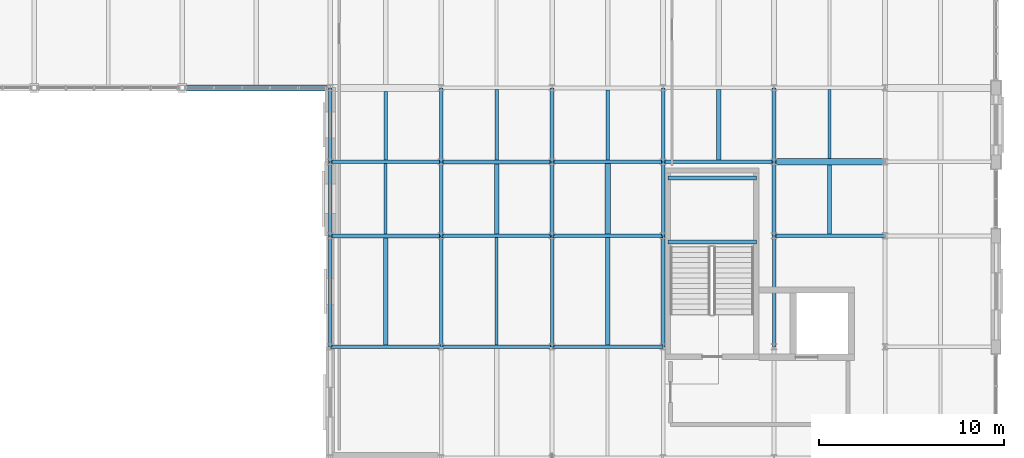
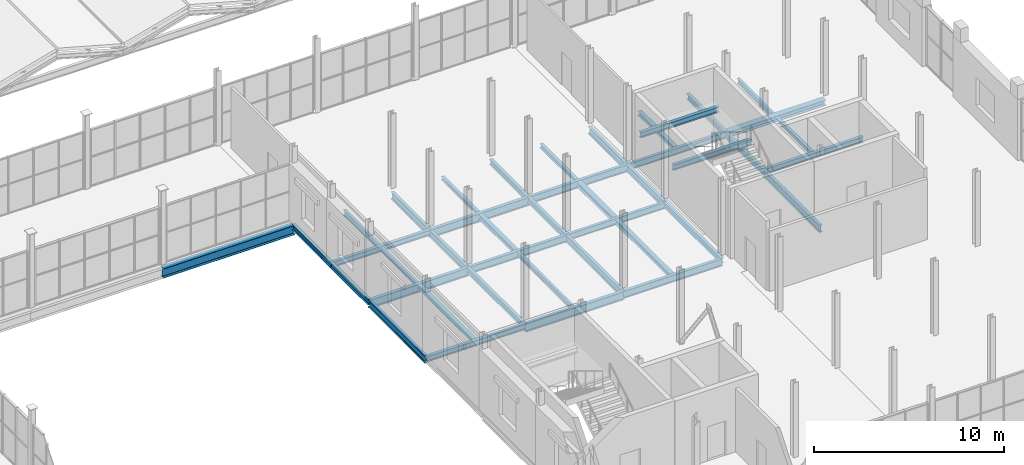
# One storey, part 70 of 114: 42 beams.
"""IFC4 building model written with IfcOpenShell, lengths in metres."""

from ifc_helpers import new_model, si_unit, direction, frame, origin, origin_2d, place, context, subcontext, project, spatial, i_section, extrude, material, material_profile, profile_set, type_object, element, save


model = new_model("IFC4")

# Units and contexts
model_context = context("Model", 3, precision=1e-05, world=origin(), true_north=direction((0.0, 1.0)))
body_context = subcontext(model_context, "Body", "Model", "MODEL_VIEW")
ifc_project = project(units=[si_unit("LENGTHUNIT", "METRE"), si_unit("AREAUNIT", "SQUARE_METRE"), si_unit("VOLUMEUNIT", "CUBIC_METRE"), si_unit("PLANEANGLEUNIT", "RADIAN"), si_unit("MASSUNIT", "GRAM", prefix="KILO")], contexts=[model_context])

# Site, building, storey
site_placement = place(None, origin())
site = spatial("IfcSite", under=ifc_project, at=site_placement, CompositionType="ELEMENT")
building_placement = place(site_placement, origin())
building = spatial("IfcBuilding", under=site, at=building_placement, Name="Verrall Gate Interchange", CompositionType="ELEMENT")
storey_placement = place(building_placement, frame((0.0, 0.0, 6.60009765625)))
storey = spatial("IfcBuildingStorey", under=building, at=storey_placement, Name="L02", CompositionType="ELEMENT", Elevation=6.60009765625)

# Beams
ifc_material_1 = material(Name="Structural Steel CSA G40.21 350WT Cat 4", Category="steel")
ifc_material_profile_1 = material_profile(ifc_material_1, i_section(OverallWidth=0.323974609375, OverallDepth=0.611083984375, WebThickness=0.0126953125, FlangeThickness=0.01904296875, FilletRadius=0.014892578125, at=origin_2d()), Name="W610x155")
ifc_profile_set_1 = profile_set([ifc_material_profile_1], Name="Structural Steel CSA G40.21 350WT Cat 4")
beam_type_1 = type_object("IfcBeamType", Name="B-08 Structural Beam W610x155", PredefinedType="BEAM", material=ifc_profile_set_1)
beam_1_placement = place(storey_placement, frame((124.0, 48.0, -0.585693359375), z_axis=(1.0, 0.0, 0.0), x_axis=(0.0, 1.0, 0.0)))
element("IfcBeam", 1, at=beam_1_placement, inside=storey, type_object=beam_type_1, Name="L02 Girder BM-L02-1581 (B-08)", PredefinedType="BEAM", context=body_context, shape_type="SweptSolid", body=[
    extrude(i_section(OverallWidth=0.323974609375, OverallDepth=0.611083984375, WebThickness=0.0126953125, FlangeThickness=0.01904296875, FilletRadius=0.014892578125, at=origin_2d()), origin(), (0.0, 0.0, 1.0), 8.0),
])
ifc_material_2 = material(Name="Structural Steel CSA G40.21 350W", Category="steel")
ifc_material_profile_2 = material_profile(ifc_material_2, i_section(OverallWidth=0.2109375, OverallDepth=0.5390625, WebThickness=0.01171875, FlangeThickness=0.018798828125, FilletRadius=0.013916015625, at=origin_2d()), Name="W530x109")
ifc_profile_set_2 = profile_set([ifc_material_profile_2], Name="Structural Steel CSA G40.21 350W")
beam_type_2 = type_object("IfcBeamType", Name="B-10 Structural Beam W530x109", PredefinedType="BEAM", material=ifc_profile_set_2)
for number, where, z_axis, x_axis, name in (
    (2, (138.0, 34.0, -0.549560546875), (1.0, 0.0, 0.0), (0.0, 1.0, 0.0), "L02 Girder BM-L02-1531 (B-10)"),
    (3, (132.0, 40.0, -0.549560546875), (1.0, 0.0, 0.0), (0.0, 1.0, 0.0), "L02 Girder BM-L02-1540 (B-10)"),
    (4, (138.0, 44.0, -0.549560546875), (1.0, 0.0, 0.0), (0.0, 1.0, 0.0), "L02 Girder BM-L02-1558 (B-10)"),
):
    element("IfcBeam", number, at=place(storey_placement, frame(where, z_axis=z_axis, x_axis=x_axis)), inside=storey, type_object=beam_type_2, Name=name, PredefinedType="BEAM", context=body_context, shape_type="SweptSolid", body=[
        extrude(i_section(OverallWidth=0.2109375, OverallDepth=0.5390625, WebThickness=0.01171875, FlangeThickness=0.018798828125, FilletRadius=0.013916015625, at=origin_2d()), origin(), (0.0, 0.0, 1.0), 6.0),
    ])
ifc_material_3 = material(Name="Structural Steel CSA G40.21 350W", Category="steel")
ifc_material_profile_3 = material_profile(ifc_material_3, i_section(OverallWidth=0.19189453125, OverallDepth=0.462890625, WebThickness=0.010498046875, FlangeThickness=0.017578125, FilletRadius=0.012939453125, at=origin_2d()), Name="W460x89")
ifc_profile_set_3 = profile_set([ifc_material_profile_3], Name="Structural Steel CSA G40.21 350W")
beam_type_3 = type_object("IfcBeamType", Name="B-11 Structural Beam W460x89", PredefinedType="BEAM", material=ifc_profile_set_3)
for number, where, z_axis, x_axis, name in (
    (5, (144.0, 34.0, -0.51171875), (1.0, 0.0, 0.0), (0.0, 1.0, 0.0), "L02 Girder BM-L02-1532 (B-11)"),
    (6, (138.0, 40.0, -0.51171875), (1.0, 0.0, 0.0), (0.0, 1.0, 0.0), "L02 Girder BM-L02-1541 (B-11)"),
    (7, (144.0, 44.0, -0.51171875), (1.0, 0.0, 0.0), (0.0, 1.0, 0.0), "L02 Girder BM-L02-1559 (B-11)"),
    (8, (132.0, 34.0, -0.51171875), (0.0, 1.0, 0.0), (-1.0, 0.0, 0.0), "L02 Girder BM-L02-1787 (B-11)"),
):
    element("IfcBeam", number, at=place(storey_placement, frame(where, z_axis=z_axis, x_axis=x_axis)), inside=storey, type_object=beam_type_3, Name=name, PredefinedType="BEAM", context=body_context, shape_type="SweptSolid", body=[
        extrude(i_section(OverallWidth=0.19189453125, OverallDepth=0.462890625, WebThickness=0.010498046875, FlangeThickness=0.017578125, FilletRadius=0.012939453125, at=origin_2d()), origin(), (0.0, 0.0, 1.0), 6.0),
    ])
for number, where, z_axis, x_axis, name in (
    (9, (138.0, 40.0, -0.51171875), (0.0, 1.0, 0.0), (-1.0, 0.0, 0.0), "L02 Girder BM-L02-1796 (B-11)"),
    (10, (138.0, 44.0, -0.51171875), (0.0, 1.0, 0.0), (-1.0, 0.0, 0.0), "L02 Girder BM-L02-1797 (B-11)"),
):
    element("IfcBeam", number, at=place(storey_placement, frame(where, z_axis=z_axis, x_axis=x_axis)), inside=storey, type_object=beam_type_3, Name=name, PredefinedType="BEAM", context=body_context, shape_type="SweptSolid", body=[
        extrude(i_section(OverallWidth=0.19189453125, OverallDepth=0.462890625, WebThickness=0.010498046875, FlangeThickness=0.017578125, FilletRadius=0.012939453125, at=origin_2d()), origin(), (0.0, 0.0, 1.0), 4.0),
    ])
beam_2_placement = place(storey_placement, frame((144.0, 34.0, -0.51171875), z_axis=(0.0, 1.0, 0.0), x_axis=(-1.0, 0.0, 0.0)))
element("IfcBeam", 11, at=beam_2_placement, inside=storey, type_object=beam_type_3, Name="L02 Girder BM-L02-1803 (B-11)", PredefinedType="BEAM", context=body_context, shape_type="SweptSolid", body=[
    extrude(i_section(OverallWidth=0.19189453125, OverallDepth=0.462890625, WebThickness=0.010498046875, FlangeThickness=0.017578125, FilletRadius=0.012939453125, at=origin_2d()), origin(), (0.0, 0.0, 1.0), 6.0),
])
for number, where, z_axis, x_axis, name in (
    (12, (150.0, 40.0, -0.51171875), (0.0, 1.0, 0.0), (-1.0, 0.0, 0.0), "L02 Girder BM-L02-1812 (B-11)"),
    (13, (150.0, 44.0, -0.51171875), (0.0, 1.0, 0.0), (-1.0, 0.0, 0.0), "L02 Girder BM-L02-1813 (B-11)"),
):
    element("IfcBeam", number, at=place(storey_placement, frame(where, z_axis=z_axis, x_axis=x_axis)), inside=storey, type_object=beam_type_3, Name=name, PredefinedType="BEAM", context=body_context, shape_type="SweptSolid", body=[
        extrude(i_section(OverallWidth=0.19189453125, OverallDepth=0.462890625, WebThickness=0.010498046875, FlangeThickness=0.017578125, FilletRadius=0.012939453125, at=origin_2d()), origin(), (0.0, 0.0, 1.0), 4.0),
    ])
beam_3_placement = place(storey_placement, frame((156.0, 34.0, -0.51171875), z_axis=(0.0, 1.0, 0.0), x_axis=(-1.0, 0.0, 0.0)))
element("IfcBeam", 14, at=beam_3_placement, inside=storey, type_object=beam_type_3, Name="L02 Girder BM-L02-1819 (B-11)", PredefinedType="BEAM", context=body_context, shape_type="SweptSolid", body=[
    extrude(i_section(OverallWidth=0.19189453125, OverallDepth=0.462890625, WebThickness=0.010498046875, FlangeThickness=0.017578125, FilletRadius=0.012939453125, at=origin_2d()), origin(), (0.0, 0.0, 1.0), 6.0),
])
ifc_material_4 = material(Name="Structural Steel CSA G40.21 350W", Category="steel")
ifc_material_profile_4 = material_profile(ifc_material_4, i_section(OverallWidth=0.178955078125, OverallDepth=0.409912109375, WebThickness=0.0087890625, FlangeThickness=0.014404296875, FilletRadius=0.011962890625, at=origin_2d()), Name="W410x67")
ifc_profile_set_4 = profile_set([ifc_material_profile_4], Name="Structural Steel CSA G40.21 350W")
beam_type_4 = type_object("IfcBeamType", Name="B-12 Structural Beam W410x67", PredefinedType="BEAM", material=ifc_profile_set_4)
for number, where, z_axis, x_axis, name in (
    (15, (144.0, 40.0, -0.485107421875), (1.0, 0.0, 0.0), (0.0, 1.0, 0.0), "L02 Girder BM-L02-1542 (B-12)"),
    (16, (150.0, 44.0, -0.485107421875), (1.0, 0.0, 0.0), (0.0, 1.0, 0.0), "L02 Girder BM-L02-1560 (B-12)"),
):
    element("IfcBeam", number, at=place(storey_placement, frame(where, z_axis=z_axis, x_axis=x_axis)), inside=storey, type_object=beam_type_4, Name=name, PredefinedType="BEAM", context=body_context, shape_type="SweptSolid", body=[
        extrude(i_section(OverallWidth=0.178955078125, OverallDepth=0.409912109375, WebThickness=0.0087890625, FlangeThickness=0.014404296875, FilletRadius=0.011962890625, at=origin_2d()), origin(), (0.0, 0.0, 1.0), 6.0),
    ])
ifc_material_5 = material(Name="Structural Steel CSA G40.21 350W", Category="steel")
ifc_material_profile_5 = material_profile(ifc_material_5, i_section(OverallWidth=0.368896484375, OverallDepth=0.35595703125, WebThickness=0.01123046875, FlangeThickness=0.01806640625, FilletRadius=0.014892578125, at=origin_2d()), Name="W360x134")
ifc_profile_set_5 = profile_set([ifc_material_profile_5], Name="Structural Steel CSA G40.21 350W")
beam_type_5 = type_object("IfcBeamType", Name="B-13 Structural Beam W360x134", PredefinedType="BEAM", material=ifc_profile_set_5)
beam_4_placement = place(storey_placement, frame((156.0, 44.0, -0.4580078125), z_axis=(1.0, 0.0, 0.0), x_axis=(0.0, 1.0, 0.0)))
element("IfcBeam", 17, at=beam_4_placement, inside=storey, type_object=beam_type_5, Name="L02 Girder BM-L02-1561 (B-13)", PredefinedType="BEAM", context=body_context, shape_type="SweptSolid", body=[
    extrude(i_section(OverallWidth=0.368896484375, OverallDepth=0.35595703125, WebThickness=0.01123046875, FlangeThickness=0.01806640625, FilletRadius=0.014892578125, at=origin_2d()), origin(), (0.0, 0.0, 1.0), 6.0),
])
ifc_material_6 = material(Name="Structural Steel CSA G40.21 350W", Category="steel")
ifc_material_profile_6 = material_profile(ifc_material_6, i_section(OverallWidth=0.205078125, OverallDepth=0.35400390625, WebThickness=0.009521484375, FlangeThickness=0.016845703125, FilletRadius=0.012939453125, at=origin_2d()), Name="W360x79")
ifc_profile_set_6 = profile_set([ifc_material_profile_6], Name="Structural Steel CSA G40.21 350W")
beam_type_6 = type_object("IfcBeamType", Name="B-14 Structural Beam W360x79", PredefinedType="BEAM", material=ifc_profile_set_6)
for number, where, z_axis, x_axis, name in (
    (18, (132.0, 34.0, -0.45703125), (1.0, 0.0, 0.0), (0.0, 1.0, 0.0), "L02 Girder BM-L02-1530 (B-14)"),
    (19, (156.0, 40.0, -0.45703125), (1.0, 0.0, 0.0), (0.0, 1.0, 0.0), "L02 Girder BM-L02-1543 (B-14)"),
    (20, (132.0, 44.0, -0.45703125), (1.0, 0.0, 0.0), (0.0, 1.0, 0.0), "L02 Girder BM-L02-1557 (B-14)"),
):
    element("IfcBeam", number, at=place(storey_placement, frame(where, z_axis=z_axis, x_axis=x_axis)), inside=storey, type_object=beam_type_6, Name=name, PredefinedType="BEAM", context=body_context, shape_type="SweptSolid", body=[
        extrude(i_section(OverallWidth=0.205078125, OverallDepth=0.35400390625, WebThickness=0.009521484375, FlangeThickness=0.016845703125, FilletRadius=0.012939453125, at=origin_2d()), origin(), (0.0, 0.0, 1.0), 6.0),
    ])
for number, where, z_axis, x_axis, name in (
    (21, (132.0, 40.0, -0.45703125), (0.0, 1.0, 0.0), (-1.0, 0.0, 0.0), "L02 Girder BM-L02-1788 (B-14)"),
    (22, (132.0, 44.0, -0.45703125), (0.0, 1.0, 0.0), (-1.0, 0.0, 0.0), "L02 Girder BM-L02-1789 (B-14)"),
):
    element("IfcBeam", number, at=place(storey_placement, frame(where, z_axis=z_axis, x_axis=x_axis)), inside=storey, type_object=beam_type_6, Name=name, PredefinedType="BEAM", context=body_context, shape_type="SweptSolid", body=[
        extrude(i_section(OverallWidth=0.205078125, OverallDepth=0.35400390625, WebThickness=0.009521484375, FlangeThickness=0.016845703125, FilletRadius=0.012939453125, at=origin_2d()), origin(), (0.0, 0.0, 1.0), 4.0),
    ])
beam_5_placement = place(storey_placement, frame((138.0, 34.0, -0.45703125), z_axis=(0.0, 1.0, 0.0), x_axis=(-1.0, 0.0, 0.0)))
element("IfcBeam", 23, at=beam_5_placement, inside=storey, type_object=beam_type_6, Name="L02 Girder BM-L02-1795 (B-14)", PredefinedType="BEAM", context=body_context, shape_type="SweptSolid", body=[
    extrude(i_section(OverallWidth=0.205078125, OverallDepth=0.35400390625, WebThickness=0.009521484375, FlangeThickness=0.016845703125, FilletRadius=0.012939453125, at=origin_2d()), origin(), (0.0, 0.0, 1.0), 6.0),
])
for number, where, z_axis, x_axis, name in (
    (24, (144.0, 40.0, -0.45703125), (0.0, 1.0, 0.0), (-1.0, 0.0, 0.0), "L02 Girder BM-L02-1804 (B-14)"),
    (25, (144.0, 44.0, -0.45703125), (0.0, 1.0, 0.0), (-1.0, 0.0, 0.0), "L02 Girder BM-L02-1805 (B-14)"),
):
    element("IfcBeam", number, at=place(storey_placement, frame(where, z_axis=z_axis, x_axis=x_axis)), inside=storey, type_object=beam_type_6, Name=name, PredefinedType="BEAM", context=body_context, shape_type="SweptSolid", body=[
        extrude(i_section(OverallWidth=0.205078125, OverallDepth=0.35400390625, WebThickness=0.009521484375, FlangeThickness=0.016845703125, FilletRadius=0.012939453125, at=origin_2d()), origin(), (0.0, 0.0, 1.0), 4.0),
    ])
beam_6_placement = place(storey_placement, frame((150.0, 34.0, -0.45703125), z_axis=(0.0, 1.0, 0.0), x_axis=(-1.0, 0.0, 0.0)))
element("IfcBeam", 26, at=beam_6_placement, inside=storey, type_object=beam_type_6, Name="L02 Girder BM-L02-1811 (B-14)", PredefinedType="BEAM", context=body_context, shape_type="SweptSolid", body=[
    extrude(i_section(OverallWidth=0.205078125, OverallDepth=0.35400390625, WebThickness=0.009521484375, FlangeThickness=0.016845703125, FilletRadius=0.012939453125, at=origin_2d()), origin(), (0.0, 0.0, 1.0), 6.0),
])
for number, where, z_axis, x_axis, name in (
    (27, (156.0, 40.0, -0.45703125), (0.0, 1.0, 0.0), (-1.0, 0.0, 0.0), "L02 Girder BM-L02-1820 (B-14)"),
    (28, (156.0, 44.0, -0.45703125), (0.0, 1.0, 0.0), (-1.0, 0.0, 0.0), "L02 Girder BM-L02-1821 (B-14)"),
):
    element("IfcBeam", number, at=place(storey_placement, frame(where, z_axis=z_axis, x_axis=x_axis)), inside=storey, type_object=beam_type_6, Name=name, PredefinedType="BEAM", context=body_context, shape_type="SweptSolid", body=[
        extrude(i_section(OverallWidth=0.205078125, OverallDepth=0.35400390625, WebThickness=0.009521484375, FlangeThickness=0.016845703125, FilletRadius=0.012939453125, at=origin_2d()), origin(), (0.0, 0.0, 1.0), 4.0),
    ])
for number, where, z_axis, x_axis, name in (
    (29, (150.260009765625, 39.669921875, 2.02978515625), (1.0, 0.0, 0.0), (0.0, 1.0, 0.0), "L02 Core C9 Mid-Landing Beam 1"),
    (30, (150.260009765625, 43.1201171875, 2.02978515625), (1.0, 0.0, 0.0), (0.0, 1.0, 0.0), "L02 Core C9 Mid-Landing Beam 2"),
):
    element("IfcBeam", number, at=place(storey_placement, frame(where, z_axis=z_axis, x_axis=x_axis)), inside=storey, type_object=beam_type_6, Name=name, PredefinedType="BEAM", context=body_context, shape_type="SweptSolid", body=[
        extrude(i_section(OverallWidth=0.205078125, OverallDepth=0.35400390625, WebThickness=0.009521484375, FlangeThickness=0.016845703125, FilletRadius=0.012939453125, at=origin_2d()), origin(), (0.0, 0.0, 1.0), 4.780029296875),
    ])
ifc_material_7 = material(Name="Structural Steel CSA G40.21 350W", Category="steel")
ifc_material_profile_7 = material_profile(ifc_material_7, i_section(OverallWidth=0.172119140625, OverallDepth=0.35791015625, WebThickness=0.0078125, FlangeThickness=0.01318359375, FilletRadius=0.010986328125, at=origin_2d()), Name="W360x57")
ifc_profile_set_7 = profile_set([ifc_material_profile_7], Name="Structural Steel CSA G40.21 350W")
beam_type_7 = type_object("IfcBeamType", Name="J-01 Floor Joist W360x57", PredefinedType="JOIST", material=ifc_profile_set_7)
beam_7_placement = place(storey_placement, frame((135.0, 44.1025390625, -0.458984375), z_axis=(0.0, 1.0, 0.0), x_axis=(-1.0, 0.0, 0.0)))
element("IfcBeam", 31, at=beam_7_placement, inside=storey, type_object=beam_type_7, Name="L02 Secondary Floor Joist JST-L02-1934", PredefinedType="JOIST", context=body_context, shape_type="SweptSolid", body=[
    extrude(i_section(OverallWidth=0.172119140625, OverallDepth=0.35791015625, WebThickness=0.0078125, FlangeThickness=0.01318359375, FilletRadius=0.010986328125, at=origin_2d()), origin(), (0.0, 0.0, 1.0), 3.712890625),
])
ifc_material_8 = material(Name="Structural Steel CSA G40.21 350W", Category="steel")
ifc_material_profile_8 = material_profile(ifc_material_8, i_section(OverallWidth=0.306884765625, OverallDepth=0.31396484375, WebThickness=0.011962890625, FlangeThickness=0.018798828125, FilletRadius=0.013916015625, at=origin_2d()), Name="W310x118")
ifc_profile_set_8 = profile_set([ifc_material_profile_8], Name="Structural Steel CSA G40.21 350W")
beam_type_8 = type_object("IfcBeamType", Name="J-02 Floor Joist W310x118", PredefinedType="JOIST", material=ifc_profile_set_8)
beam_8_placement = place(storey_placement, frame((147.0, 40.089599609375, -0.43701171875), z_axis=(0.0, 1.0, 0.0), x_axis=(-1.0, 0.0, 0.0)))
element("IfcBeam", 32, at=beam_8_placement, inside=storey, type_object=beam_type_8, Name="L02 Secondary Floor Joist JST-L02-1920", PredefinedType="JOIST", context=body_context, shape_type="SweptSolid", body=[
    extrude(i_section(OverallWidth=0.306884765625, OverallDepth=0.31396484375, WebThickness=0.011962890625, FlangeThickness=0.018798828125, FilletRadius=0.013916015625, at=origin_2d()), origin(), (0.0, 0.0, 1.0), 3.814453125),
])
ifc_material_9 = material(Name="Structural Steel CSA G40.21 350W", Category="steel")
ifc_material_profile_9 = material_profile(ifc_material_9, i_section(OverallWidth=0.25390625, OverallDepth=0.305908203125, WebThickness=0.0087890625, FlangeThickness=0.0146484375, FilletRadius=0.012939453125, at=origin_2d()), Name="W310x79")
ifc_profile_set_9 = profile_set([ifc_material_profile_9], Name="Structural Steel CSA G40.21 350W")
beam_type_9 = type_object("IfcBeamType", Name="J-03 Floor Joist W310x79", PredefinedType="JOIST", material=ifc_profile_set_9)
beam_9_placement = place(storey_placement, frame((147.0, 34.095947265625, -0.43310546875), z_axis=(0.0, 1.0, 0.0), x_axis=(-1.0, 0.0, 0.0)))
element("IfcBeam", 33, at=beam_9_placement, inside=storey, type_object=beam_type_9, Name="L02 Secondary Floor Joist JST-L02-1912", PredefinedType="JOIST", context=body_context, shape_type="SweptSolid", body=[
    extrude(i_section(OverallWidth=0.25390625, OverallDepth=0.305908203125, WebThickness=0.0087890625, FlangeThickness=0.0146484375, FilletRadius=0.012939453125, at=origin_2d()), origin(), (0.0, 0.0, 1.0), 5.814453125),
])
beam_10_placement = place(storey_placement, frame((141.0, 40.095947265625, -0.43310546875), z_axis=(0.0, 1.0, 0.0), x_axis=(-1.0, 0.0, 0.0)))
element("IfcBeam", 34, at=beam_10_placement, inside=storey, type_object=beam_type_9, Name="L02 Secondary Floor Joist JST-L02-1919", PredefinedType="JOIST", context=body_context, shape_type="SweptSolid", body=[
    extrude(i_section(OverallWidth=0.25390625, OverallDepth=0.305908203125, WebThickness=0.0087890625, FlangeThickness=0.0146484375, FilletRadius=0.012939453125, at=origin_2d()), origin(), (0.0, 0.0, 1.0), 3.798583984375),
])
ifc_material_10 = material(Name="Structural Steel CSA G40.21 350W", Category="steel")
ifc_material_profile_10 = material_profile(ifc_material_10, i_section(OverallWidth=0.1650390625, OverallDepth=0.31005859375, WebThickness=0.005859375, FlangeThickness=0.009765625, FilletRadius=0.010009765625, at=origin_2d()), Name="W310x39")
ifc_profile_set_10 = profile_set([ifc_material_profile_10], Name="Structural Steel CSA G40.21 350W")
beam_type_10 = type_object("IfcBeamType", Name="J-04 Floor Joist W310x39", PredefinedType="JOIST", material=ifc_profile_set_10)
beam_11_placement = place(storey_placement, frame((141.0, 34.10546875, -0.43505859375), z_axis=(0.0, 1.0, 0.0), x_axis=(-1.0, 0.0, 0.0)))
element("IfcBeam", 35, at=beam_11_placement, inside=storey, type_object=beam_type_10, Name="L02 Secondary Floor Joist JST-L02-1911", PredefinedType="JOIST", context=body_context, shape_type="SweptSolid", body=[
    extrude(i_section(OverallWidth=0.1650390625, OverallDepth=0.31005859375, WebThickness=0.005859375, FlangeThickness=0.009765625, FilletRadius=0.010009765625, at=origin_2d()), origin(), (0.0, 0.0, 1.0), 5.798583984375),
])
beam_12_placement = place(storey_placement, frame((135.0, 40.10546875, -0.43505859375), z_axis=(0.0, 1.0, 0.0), x_axis=(-1.0, 0.0, 0.0)))
element("IfcBeam", 36, at=beam_12_placement, inside=storey, type_object=beam_type_10, Name="L02 Secondary Floor Joist JST-L02-1918", PredefinedType="JOIST", context=body_context, shape_type="SweptSolid", body=[
    extrude(i_section(OverallWidth=0.1650390625, OverallDepth=0.31005859375, WebThickness=0.005859375, FlangeThickness=0.009765625, FilletRadius=0.010009765625, at=origin_2d()), origin(), (0.0, 0.0, 1.0), 3.7919921875),
])
beam_13_placement = place(storey_placement, frame((159.0, 44.1845703125, -0.43505859375), z_axis=(0.0, 1.0, 0.0), x_axis=(-1.0, 0.0, 0.0)))
element("IfcBeam", 37, at=beam_13_placement, inside=storey, type_object=beam_type_10, Name="L02 Secondary Floor Joist JST-L02-1938", PredefinedType="JOIST", context=body_context, shape_type="SweptSolid", body=[
    extrude(i_section(OverallWidth=0.1650390625, OverallDepth=0.31005859375, WebThickness=0.005859375, FlangeThickness=0.009765625, FilletRadius=0.010009765625, at=origin_2d()), origin(), (0.0, 0.0, 1.0), 3.725830078125),
])
ifc_material_11 = material(Name="Structural Steel CSA G40.21 350W", Category="steel")
ifc_material_profile_11 = material_profile(ifc_material_11, i_section(OverallWidth=0.25390625, OverallDepth=0.2529296875, WebThickness=0.008544921875, FlangeThickness=0.01416015625, FilletRadius=0.011962890625, at=origin_2d()), Name="W250x73")
ifc_profile_set_11 = profile_set([ifc_material_profile_11], Name="Structural Steel CSA G40.21 350W")
beam_type_11 = type_object("IfcBeamType", Name="J-05 Floor Joist W250x73", PredefinedType="JOIST", material=ifc_profile_set_11)
beam_14_placement = place(storey_placement, frame((135.0, 34.1025390625, -0.406494140625), z_axis=(0.0, 1.0, 0.0), x_axis=(-1.0, 0.0, 0.0)))
element("IfcBeam", 38, at=beam_14_placement, inside=storey, type_object=beam_type_11, Name="L02 Secondary Floor Joist JST-L02-1910", PredefinedType="JOIST", context=body_context, shape_type="SweptSolid", body=[
    extrude(i_section(OverallWidth=0.25390625, OverallDepth=0.2529296875, WebThickness=0.008544921875, FlangeThickness=0.01416015625, FilletRadius=0.011962890625, at=origin_2d()), origin(), (0.0, 0.0, 1.0), 5.7919921875),
])
beam_15_placement = place(storey_placement, frame((153.0, 44.089599609375, -0.406494140625), z_axis=(0.0, 1.0, 0.0), x_axis=(-1.0, 0.0, 0.0)))
element("IfcBeam", 39, at=beam_15_placement, inside=storey, type_object=beam_type_11, Name="L02 Secondary Floor Joist JST-L02-1937", PredefinedType="JOIST", context=body_context, shape_type="SweptSolid", body=[
    extrude(i_section(OverallWidth=0.25390625, OverallDepth=0.2529296875, WebThickness=0.008544921875, FlangeThickness=0.01416015625, FilletRadius=0.011962890625, at=origin_2d()), origin(), (0.0, 0.0, 1.0), 3.814453125),
])
ifc_material_12 = material(Name="Structural Steel CSA G40.21 350W", Category="steel")
ifc_material_profile_12 = material_profile(ifc_material_12, i_section(OverallWidth=0.201904296875, OverallDepth=0.2470703125, WebThickness=0.00732421875, FlangeThickness=0.010986328125, FilletRadius=0.010986328125, at=origin_2d()), Name="W250x49")
ifc_profile_set_12 = profile_set([ifc_material_profile_12], Name="Structural Steel CSA G40.21 350W")
beam_type_12 = type_object("IfcBeamType", Name="J-06 Floor Joist W250x49", PredefinedType="JOIST", material=ifc_profile_set_12)
beam_16_placement = place(storey_placement, frame((147.0, 44.095947265625, -0.403564453125), z_axis=(0.0, 1.0, 0.0), x_axis=(-1.0, 0.0, 0.0)))
element("IfcBeam", 40, at=beam_16_placement, inside=storey, type_object=beam_type_12, Name="L02 Secondary Floor Joist JST-L02-1936", PredefinedType="JOIST", context=body_context, shape_type="SweptSolid", body=[
    extrude(i_section(OverallWidth=0.201904296875, OverallDepth=0.2470703125, WebThickness=0.00732421875, FlangeThickness=0.010986328125, FilletRadius=0.010986328125, at=origin_2d()), origin(), (0.0, 0.0, 1.0), 3.798583984375),
])
ifc_material_13 = material(Name="Structural Steel CSA G40.21 350W", Category="steel")
ifc_material_profile_13 = material_profile(ifc_material_13, i_section(OverallWidth=0.202880859375, OverallDepth=0.202880859375, WebThickness=0.007080078125, FlangeThickness=0.010986328125, FilletRadius=0.010009765625, at=origin_2d()), Name="W200x46")
ifc_profile_set_13 = profile_set([ifc_material_profile_13], Name="Structural Steel CSA G40.21 350W")
beam_type_13 = type_object("IfcBeamType", Name="J-07 Floor Joist W200x46", PredefinedType="JOIST", material=ifc_profile_set_13)
beam_17_placement = place(storey_placement, frame((159.0, 40.1025390625, -0.381591796875), z_axis=(0.0, 1.0, 0.0), x_axis=(-1.0, 0.0, 0.0)))
element("IfcBeam", 41, at=beam_17_placement, inside=storey, type_object=beam_type_13, Name="L02 Secondary Floor Joist JST-L02-1921", PredefinedType="JOIST", context=body_context, shape_type="SweptSolid", body=[
    extrude(i_section(OverallWidth=0.202880859375, OverallDepth=0.202880859375, WebThickness=0.007080078125, FlangeThickness=0.010986328125, FilletRadius=0.010009765625, at=origin_2d()), origin(), (0.0, 0.0, 1.0), 3.712890625),
])
beam_18_placement = place(storey_placement, frame((141.0, 44.10546875, -0.381591796875), z_axis=(0.0, 1.0, 0.0), x_axis=(-1.0, 0.0, 0.0)))
element("IfcBeam", 42, at=beam_18_placement, inside=storey, type_object=beam_type_13, Name="L02 Secondary Floor Joist JST-L02-1935", PredefinedType="JOIST", context=body_context, shape_type="SweptSolid", body=[
    extrude(i_section(OverallWidth=0.202880859375, OverallDepth=0.202880859375, WebThickness=0.007080078125, FlangeThickness=0.010986328125, FilletRadius=0.010009765625, at=origin_2d()), origin(), (0.0, 0.0, 1.0), 3.7919921875),
])

save(model, "model.ifc")
